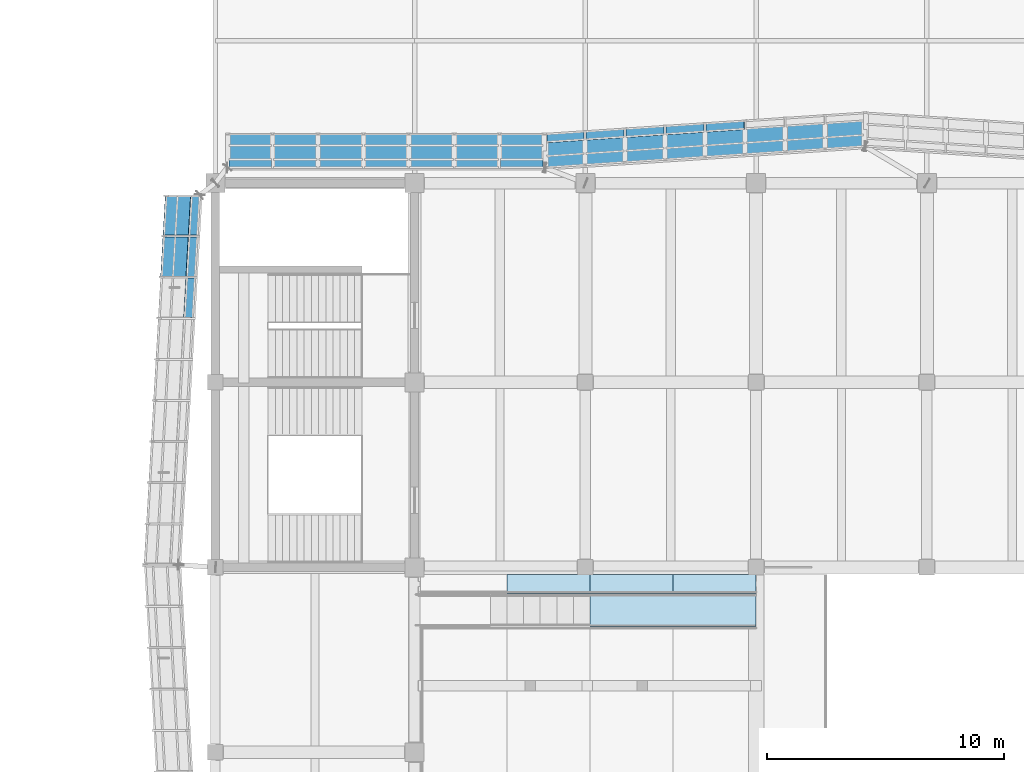
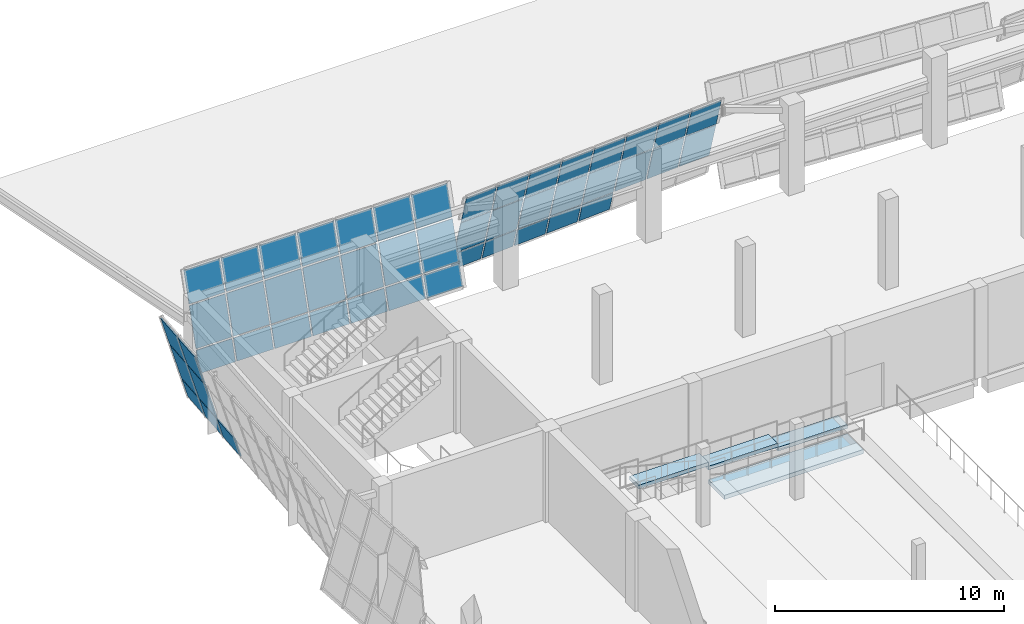
# One storey, part 54 of 79: 49 plates, 4 slabs, 3 elements without a shape of their own.
"""IFC4 building model written with IfcOpenShell, lengths in metres."""

from ifc_helpers import new_model, si_unit, direction, frame, origin, place, context, subcontext, project, spatial, polyline, outline, extrude, material, layer, layer_set, type_object, element, aggregate, save


model = new_model("IFC4")

# Units and contexts
model_context = context("Model", 3, precision=1e-05, world=origin(), true_north=direction((0.0, 1.0)))
body_context = subcontext(model_context, "Body", "Model", "MODEL_VIEW")
ifc_project = project(units=[si_unit("LENGTHUNIT", "METRE"), si_unit("AREAUNIT", "SQUARE_METRE"), si_unit("VOLUMEUNIT", "CUBIC_METRE"), si_unit("PLANEANGLEUNIT", "RADIAN"), si_unit("MASSUNIT", "GRAM", prefix="KILO")], contexts=[model_context])

# Site, building, storey
site_placement = place(None, origin())
site = spatial("IfcSite", under=ifc_project, at=site_placement, CompositionType="ELEMENT")
building_placement = place(site_placement, origin())
building = spatial("IfcBuilding", under=site, at=building_placement, Name="Pellamere Symphony Hall", CompositionType="ELEMENT")
storey_placement = place(building_placement, frame((0.0, 0.0, 10.199951171875)))
storey = spatial("IfcBuildingStorey", under=building, at=storey_placement, Name="L02", CompositionType="ELEMENT", Elevation=10.199951171875)

# Curtain wall, plates
ifc_material_1 = material(Name="Thermally Broken Anodised Aluminium 6063-T6 Curtain Wall", Category="aluminium")
curtain_wall_type = type_object("IfcCurtainWallType", Name="Curtain Wall CW-01 (Tilted Faceted Crystal Low-Iron Curtain Wall)", PredefinedType="NOTDEFINED", material=ifc_material_1)
curtain_wall_1_placement = place(storey_placement, origin())
curtain_wall_1 = element("IfcCurtainWall", 1, at=curtain_wall_1_placement, inside=storey, type_object=curtain_wall_type, Name="Crystal Faceted Curtain Wall CW-CR13 (L02)", PredefinedType="NOTDEFINED")
ifc_material_2 = material(Name="Triple Laminated Acoustic Crystal Glazing 42mm", Category="glass")
ifc_layer_1 = layer(ifc_material_2, 0.0419921875, Name="Triple Laminated Acoustic Crystal Glazing 42mm")
ifc_layer_set_1 = layer_set([ifc_layer_1], Name="Triple Laminated Acoustic Crystal Glazing 42mm")
plate_type_1 = type_object("IfcPlateType", Name="Facade Panel GL-02 42mm", PredefinedType="CURTAIN_PANEL", material=ifc_layer_set_1)
plate_1_placement = place(storey_placement, frame((77.72509765625, 96.21484375, 1.18798828125), z_axis=(-0.063845821816, 0.9568716431, 0.283408485527), x_axis=(-0.997781805053, -0.06656928019, -2.0969101e-05)))
plate_1 = element("IfcPlate", 2, at=plate_1_placement, type_object=plate_type_1, Name="CW1-031 crystal glass panel 1.2", PredefinedType="CURTAIN_PANEL", context=body_context, shape_type="SweptSolid", body=[
    extrude(outline(polyline([(0.0, 0.0), (1.5786896964563333, 0.0), (1.616988025317339, 2.0272441624683224), (0.038282076595334426, 2.0271751240969733), (0.0, 0.0)])), origin(), (0.0, 0.0, -1.0), 0.0419921875),
])
plate_2_placement = place(storey_placement, frame((77.72509765625, 95.61767578125, 3.2041015625), z_axis=(-0.063771333704, 0.956866616412, 0.283442225848), x_axis=(-0.997786526209, -0.066498482063, 0.0)))
plate_2 = element("IfcPlate", 3, at=plate_2_placement, type_object=plate_type_1, Name="CW1-031 crystal glass panel 1.3", PredefinedType="CURTAIN_PANEL", context=body_context, shape_type="SweptSolid", body=[
    extrude(outline(polyline([(0.0, 0.0), (1.578689700777497, 0.0), (1.608708180595431, 1.5890956852218163), (0.030018479817934176, 1.5890956852218163), (0.0, 0.0)])), origin(), (0.0, 0.0, -1.0), 0.0419921875),
])
plate_3_placement = place(storey_placement, frame((76.0751953125, 96.10498046875, 1.18798828125), z_axis=(-0.063806090228, 0.956874079565, 0.283409207165), x_axis=(-0.997783752331, -0.066540086906, 2.0480219e-05)))
plate_3 = element("IfcPlate", 4, at=plate_3_placement, type_object=plate_type_1, Name="CW1-031 crystal glass panel 2.2", PredefinedType="CURTAIN_PANEL", context=body_context, shape_type="SweptSolid", body=[
    extrude(outline(polyline([(0.0, 0.0), (1.6163827261284311, 1.0408340855860843e-17), (1.6547285779130667, 2.027173918734372), (0.0383620969230404, 2.02724295677036), (0.0, 0.0)])), origin(), (0.0, 0.0, -1.0), 0.0419921875),
])
plate_4_placement = place(storey_placement, frame((76.0751953125, 95.5078125, 3.2041015625), z_axis=(-0.063877581686, 0.956860101171, 0.283440295909), x_axis=(-0.997779138857, -0.066609234065, 0.0)))
plate_4 = element("IfcPlate", 5, at=plate_4_placement, type_object=plate_type_1, Name="CW1-031 crystal glass panel 2.3", PredefinedType="CURTAIN_PANEL", context=body_context, shape_type="SweptSolid", body=[
    extrude(outline(polyline([(0.0, 0.0), (1.6163827303488496, 0.0), (1.646451205394464, 1.589094740010678), (0.03006847504561443, 1.589094740010678), (0.0, 0.0)])), origin(), (0.0, 0.0, -1.0), 0.0419921875),
])
plate_5_placement = place(storey_placement, frame((74.3876953125, 95.992431640625, 1.18798828125), z_axis=(-0.06373287461, 0.956862203799, 0.283465771539), x_axis=(-0.997789166031, -0.066458860589, 0.0)))
plate_5 = element("IfcPlate", 6, at=plate_5_placement, type_object=plate_type_1, Name="CW1-031 crystal glass panel 3.2", PredefinedType="CURTAIN_PANEL", context=body_context, shape_type="SweptSolid", body=[
    extrude(outline(polyline([(0.0, 0.0), (1.616366486684859, 6.938893903907228e-18), (1.6546419876932679, 2.027244596964447), (0.03827550100840877, 2.027244596964447), (0.0, 0.0)])), origin(), (0.0, 0.0, -1.0), 0.0419921875),
])
plate_6_placement = place(storey_placement, frame((74.3876953125, 95.395263671875, 3.2041015625), z_axis=(-0.063804066819, 0.956843735319, 0.283512093636), x_axis=(-0.997784558013, -0.066528004406, -2.048721e-05)))
plate_6 = element("IfcPlate", 7, at=plate_6_placement, type_object=plate_type_1, Name="CW1-031 crystal glass panel 3.3", PredefinedType="CURTAIN_PANEL", context=body_context, shape_type="SweptSolid", body=[
    extrude(outline(polyline([(0.0, 0.0), (1.6163664824646657, -6.938893903907228e-18), (1.6463833103414376, 1.5891650826467514), (0.030000585688196302, 1.589096018853732), (0.0, 0.0)])), origin(), (0.0, 0.0, -1.0), 0.0419921875),
])
plate_7_placement = place(storey_placement, frame((72.7001953125, 96.21044921875, 0.072021484375), z_axis=(-0.063733038046, 0.956864657571, 0.283457451752), x_axis=(-0.997789166031, -0.066458860589, 0.0)))
plate_7 = element("IfcPlate", 8, at=plate_7_placement, type_object=plate_type_1, Name="CW1-031 crystal glass panel 4.1", PredefinedType="CURTAIN_PANEL", context=body_context, shape_type="SweptSolid", body=[
    extrude(outline(polyline([(0.0, 0.0), (1.616366486684859, 0.0), (1.6369239516181588, 1.0888487889784533), (0.020557464933299664, 1.0888487889784535), (0.0, 0.0)])), origin(), (0.0, 0.0, -1.0), 0.0419921875),
])
plate_8_placement = place(storey_placement, frame((72.7001953125, 95.8798828125, 1.18798828125), z_axis=(-0.06373287461, 0.956862203799, 0.283465771539), x_axis=(-0.997789166031, -0.066458860589, 0.0)))
plate_8 = element("IfcPlate", 9, at=plate_8_placement, type_object=plate_type_1, Name="CW1-031 crystal glass panel 4.2", PredefinedType="CURTAIN_PANEL", context=body_context, shape_type="SweptSolid", body=[
    extrude(outline(polyline([(0.0, 0.0), (1.616366486684859, 6.938893903907228e-18), (1.6546419876932679, 2.027244596964447), (0.03827550100840877, 2.027244596964447), (0.0, 0.0)])), origin(), (0.0, 0.0, -1.0), 0.0419921875),
])
plate_9_placement = place(storey_placement, frame((72.7001953125, 95.28271484375, 3.2041015625), z_axis=(-0.063733323587, 0.956868944589, 0.283442915499), x_axis=(-0.997789166031, -0.066458860589, 0.0)))
plate_9 = element("IfcPlate", 10, at=plate_9_placement, type_object=plate_type_1, Name="CW1-031 crystal glass panel 4.3", PredefinedType="CURTAIN_PANEL", context=body_context, shape_type="SweptSolid", body=[
    extrude(outline(polyline([(0.0, 0.0), (1.616366486684859, 3.469446951953614e-18), (1.6463670807351125, 1.5890960229884803), (0.030000594050253418, 1.5890960229884803), (0.0, 0.0)])), origin(), (0.0, 0.0, -1.0), 0.0419921875),
])
plate_10_placement = place(storey_placement, frame((71.0126953125, 96.097900390625, 0.072021484375), z_axis=(-0.063807190088, 0.956890573721, 0.283353264348), x_axis=(-0.997784557562, -0.066528011175, -2.0476735e-05)))
plate_10 = element("IfcPlate", 11, at=plate_10_placement, type_object=plate_type_1, Name="CW1-031 crystal glass panel 5.1", PredefinedType="CURTAIN_PANEL", context=body_context, shape_type="SweptSolid", body=[
    extrude(outline(polyline([(0.0, 0.0), (1.6163664824642527, -6.938893903907228e-18), (1.6369239558924438, 1.0888487825526945), (0.020541231237962806, 1.088779757450628), (0.0, 0.0)])), origin(), (0.0, 0.0, -1.0), 0.0419921875),
])
plate_11_placement = place(storey_placement, frame((71.0126953125, 95.767333984375, 1.18798828125), z_axis=(-0.063806090228, 0.956874079565, 0.283409207165), x_axis=(-0.997784557721, -0.066528008791, -2.0480425e-05)))
plate_11 = element("IfcPlate", 12, at=plate_11_placement, type_object=plate_type_1, Name="CW1-031 crystal glass panel 5.2", PredefinedType="CURTAIN_PANEL", context=body_context, shape_type="SweptSolid", body=[
    extrude(outline(polyline([(0.0, 0.0), (1.6163664824643982, -3.469446951953614e-18), (1.6546419920136686, 2.027244593438125), (0.03825926735962426, 2.0271755547083394), (0.0, 0.0)])), origin(), (0.0, 0.0, -1.0), 0.0419921875),
])
plate_12_placement = place(storey_placement, frame((71.0126953125, 95.170166015625, 3.2041015625), z_axis=(-0.063733323587, 0.956868944589, 0.283442915499), x_axis=(-0.997789166031, -0.066458860589, 0.0)))
plate_12 = element("IfcPlate", 13, at=plate_12_placement, type_object=plate_type_1, Name="CW1-031 crystal glass panel 5.3", PredefinedType="CURTAIN_PANEL", context=body_context, shape_type="SweptSolid", body=[
    extrude(outline(polyline([(0.0, 0.0), (1.616366486684859, 3.469446951953614e-18), (1.6463670807351125, 1.5890960229884803), (0.030000594050253418, 1.5890960229884803), (0.0, 0.0)])), origin(), (0.0, 0.0, -1.0), 0.0419921875),
])
plate_13_placement = place(storey_placement, frame((69.3251953125, 95.985595703125, 0.072021484375), z_axis=(-0.063877295503, 0.956855814272, 0.283454832051), x_axis=(-0.997779138857, -0.066609234065, 0.0)))
plate_13 = element("IfcPlate", 14, at=plate_13_placement, type_object=plate_type_1, Name="CW1-031 crystal glass panel 6.1", PredefinedType="CURTAIN_PANEL", context=body_context, shape_type="SweptSolid", body=[
    extrude(outline(polyline([(0.0, 0.0), (1.6163827303488496, 0.0), (1.6369867097338109, 1.0888479097917363), (0.02060397938496132, 1.0888479097917363), (0.0, 0.0)])), origin(), (0.0, 0.0, -1.0), 0.0419921875),
])
plate_14_placement = place(storey_placement, frame((69.3251953125, 95.655029296875, 1.18798828125), z_axis=(-0.0638771317, 0.956853360569, 0.283463151775), x_axis=(-0.997779138857, -0.066609234065, 0.0)))
plate_14 = element("IfcPlate", 15, at=plate_14_placement, type_object=plate_type_1, Name="CW1-031 crystal glass panel 6.2", PredefinedType="CURTAIN_PANEL", context=body_context, shape_type="SweptSolid", body=[
    extrude(outline(polyline([(0.0, 0.0), (1.6163827303488496, -3.469446951953614e-18), (1.654744835612562, 2.0272429599775954), (0.03836210526371252, 2.0272429599775954), (0.0, 0.0)])), origin(), (0.0, 0.0, -1.0), 0.0419921875),
])
plate_15_placement = place(storey_placement, frame((69.3251953125, 95.057861328125, 3.2041015625), z_axis=(-0.063804066819, 0.956843735319, 0.283512093636), x_axis=(-0.997783752038, -0.066540091291, 2.0487004e-05)))
plate_15 = element("IfcPlate", 16, at=plate_15_placement, type_object=plate_type_1, Name="CW1-031 crystal glass panel 6.3", PredefinedType="CURTAIN_PANEL", context=body_context, shape_type="SweptSolid", body=[
    extrude(outline(polyline([(0.0, 0.0), (1.6163827261286987, 6.938893903907228e-18), (1.646451209693119, 1.589094735556868), (0.030084728703895725, 1.5891637986558382), (0.0, 0.0)])), origin(), (0.0, 0.0, -1.0), 0.0419921875),
])
plate_16_placement = place(storey_placement, frame((67.6376953125, 95.873046875, 0.072021484375), z_axis=(-0.063807190088, 0.956890573721, 0.283353264348), x_axis=(-0.99778375249, -0.066540084522, 2.047653e-05)))
plate_16 = element("IfcPlate", 17, at=plate_16_placement, type_object=plate_type_1, Name="CW1-031 crystal glass panel 7.1", PredefinedType="CURTAIN_PANEL", context=body_context, shape_type="SweptSolid", body=[
    extrude(outline(polyline([(0.0, 0.0), (1.6163827261282855, -6.938893903907228e-18), (1.6369704519880959, 1.0887788792766606), (0.02060397099763312, 1.088847903685067), (0.0, 0.0)])), origin(), (0.0, 0.0, -1.0), 0.0419921875),
])
plate_17_placement = place(storey_placement, frame((67.6376953125, 95.54248046875, 1.18798828125), z_axis=(-0.063806090228, 0.956874079565, 0.283409207165), x_axis=(-0.997783752331, -0.066540086906, 2.0480219e-05)))
plate_17 = element("IfcPlate", 18, at=plate_17_placement, type_object=plate_type_1, Name="CW1-031 crystal glass panel 7.2", PredefinedType="CURTAIN_PANEL", context=body_context, shape_type="SweptSolid", body=[
    extrude(outline(polyline([(0.0, 0.0), (1.6163827261284311, 1.0408340855860843e-17), (1.6547285779130667, 2.027173918734372), (0.0383620969230404, 2.02724295677036), (0.0, 0.0)])), origin(), (0.0, 0.0, -1.0), 0.0419921875),
])
plate_18_placement = place(storey_placement, frame((67.6376953125, 94.9453125, 3.2041015625), z_axis=(-0.063877581686, 0.956860101171, 0.283440295909), x_axis=(-0.997779138857, -0.066609234065, 0.0)))
plate_18 = element("IfcPlate", 19, at=plate_18_placement, type_object=plate_type_1, Name="CW1-031 crystal glass panel 7.3", PredefinedType="CURTAIN_PANEL", context=body_context, shape_type="SweptSolid", body=[
    extrude(outline(polyline([(0.0, 0.0), (1.6163827303488496, 0.0), (1.646451205394464, 1.589094740010678), (0.03006847504561443, 1.589094740010678), (0.0, 0.0)])), origin(), (0.0, 0.0, -1.0), 0.0419921875),
])
plate_19_placement = place(storey_placement, frame((65.9501953125, 95.760498046875, 0.072021484375), z_axis=(-0.063761205785, 0.956862932404, 0.283456940696), x_axis=(-0.99778720991, -0.066488222573, 0.0)))
plate_19 = element("IfcPlate", 20, at=plate_19_placement, type_object=plate_type_1, Name="CW1-031 crystal glass panel 8.1", PredefinedType="CURTAIN_PANEL", context=body_context, shape_type="SweptSolid", body=[
    extrude(outline(polyline([(0.0, 0.0), (1.578933301087088, 0.0), (1.5994998484502496, 1.0888486174642862), (0.020566547363161526, 1.0888486174642862), (0.0, 0.0)])), origin(), (0.0, 0.0, -1.0), 0.0419921875),
])
plate_20_placement = place(storey_placement, frame((65.9501953125, 95.429931640625, 1.18798828125), z_axis=(-0.063761042278, 0.956860478646, 0.28346526047), x_axis=(-0.99778720991, -0.066488222573, 0.0)))
plate_20 = element("IfcPlate", 21, at=plate_20_placement, type_object=plate_type_1, Name="CW1-031 crystal glass panel 8.2", PredefinedType="CURTAIN_PANEL", context=body_context, shape_type="SweptSolid", body=[
    extrude(outline(polyline([(0.0, 0.0), (1.578933301087088, -3.469446951953614e-18), (1.617225712475958, 2.0272442776165414), (0.038292411388869796, 2.0272442776165414), (0.0, 0.0)])), origin(), (0.0, 0.0, -1.0), 0.0419921875),
])
plate_21_placement = place(storey_placement, frame((65.9501953125, 94.832763671875, 3.2041015625), z_axis=(-0.063761491452, 0.956867219398, 0.283442404465), x_axis=(-0.99778720991, -0.066488222573, 0.0)))
plate_21 = element("IfcPlate", 22, at=plate_21_placement, type_object=plate_type_1, Name="CW1-031 crystal glass panel 8.3", PredefinedType="CURTAIN_PANEL", context=body_context, shape_type="SweptSolid", body=[
    extrude(outline(polyline([(0.0, 0.0), (1.578933301087088, 0.0), (1.6089471496068084, 1.5890957727016355), (0.03001384851972033, 1.5890957727016355), (0.0, 0.0)])), origin(), (0.0, 0.0, -1.0), 0.0419921875),
])
aggregate(curtain_wall_1, [plate_1, plate_2, plate_3, plate_4, plate_5, plate_6, plate_7, plate_8, plate_9, plate_10, plate_11, plate_12, plate_13, plate_14, plate_15, plate_16, plate_17, plate_18, plate_19, plate_20, plate_21])

curtain_wall_2_placement = place(storey_placement, origin())
curtain_wall_2 = element("IfcCurtainWall", 23, at=curtain_wall_2_placement, inside=storey, type_object=curtain_wall_type, Name="Crystal Faceted Curtain Wall CW-CR14 (L02)", PredefinedType="NOTDEFINED")
plate_22_placement = place(storey_placement, frame((64.22509765625, 94.271240234375, 0.072021484375), z_axis=(0.0, -0.958813942277, 0.284034899431), x_axis=(-1.0, 0.0, 0.0)))
plate_22 = element("IfcPlate", 24, at=plate_22_placement, type_object=plate_type_1, Name="CW1-034 crystal glass panel 1.1", PredefinedType="CURTAIN_PANEL", context=body_context, shape_type="SweptSolid", body=[
    extrude(outline(polyline([(0.0, 0.0), (1.802001953125, 0.0), (1.802001953125, -1.089042834154988), (0.0, -1.089042834154988), (0.0, 0.0)])), origin(), (0.0, 0.0, -1.0), 0.0419921875),
])
plate_23_placement = place(storey_placement, frame((64.22509765625, 94.601806640625, 1.18798828125), z_axis=(0.0, -0.958811473479, 0.284043233196), x_axis=(-1.0, 0.0, 0.0)))
plate_23 = element("IfcPlate", 25, at=plate_23_placement, type_object=plate_type_1, Name="CW1-034 crystal glass panel 1.2", PredefinedType="CURTAIN_PANEL", context=body_context, shape_type="SweptSolid", body=[
    extrude(outline(polyline([(0.0, 0.0), (1.802001953125, 0.0), (1.802001953125, -2.0276058960998777), (0.0, -2.0276058960998777), (0.0, 0.0)])), origin(), (0.0, 0.0, -1.0), 0.0419921875),
])
plate_24_placement = place(storey_placement, frame((64.22509765625, 95.198974609375, 3.2041015625), z_axis=(0.0, -0.958818255549, 0.284020338755), x_axis=(-1.0, 0.0, 0.0)))
plate_24 = element("IfcPlate", 26, at=plate_24_placement, type_object=plate_type_1, Name="CW1-034 crystal glass panel 1.3", PredefinedType="CURTAIN_PANEL", context=body_context, shape_type="SweptSolid", body=[
    extrude(outline(polyline([(0.0, 0.0), (1.802001953125, 0.0), (1.802001953125, -1.589379188841094), (0.0, -1.589379188841094), (0.0, 0.0)])), origin(), (0.0, 0.0, -1.0), 0.0419921875),
])
plate_25_placement = place(storey_placement, frame((62.34814453125, 94.271240234375, 0.072021484375), z_axis=(0.0, -0.958813942277, 0.284034899431), x_axis=(-1.0, 0.0, 0.0)))
plate_25 = element("IfcPlate", 27, at=plate_25_placement, type_object=plate_type_1, Name="CW1-034 crystal glass panel 2.1", PredefinedType="CURTAIN_PANEL", context=body_context, shape_type="SweptSolid", body=[
    extrude(outline(polyline([(0.0, 0.0), (1.839111328125, 0.0), (1.839111328125, -1.089042834154988), (0.0, -1.089042834154988), (0.0, 0.0)])), origin(), (0.0, 0.0, -1.0), 0.0419921875),
])
plate_26_placement = place(storey_placement, frame((62.34814453125, 94.601806640625, 1.18798828125), z_axis=(0.0, -0.958811473479, 0.284043233196), x_axis=(-1.0, 0.0, 0.0)))
plate_26 = element("IfcPlate", 28, at=plate_26_placement, type_object=plate_type_1, Name="CW1-034 crystal glass panel 2.2", PredefinedType="CURTAIN_PANEL", context=body_context, shape_type="SweptSolid", body=[
    extrude(outline(polyline([(0.0, 0.0), (1.839111328125, 0.0), (1.839111328125, -2.0276058960998773), (0.0, -2.0276058960998773), (0.0, 0.0)])), origin(), (0.0, 0.0, -1.0), 0.0419921875),
])
plate_27_placement = place(storey_placement, frame((62.34814453125, 95.198974609375, 3.2041015625), z_axis=(0.0, -0.958818255549, 0.284020338755), x_axis=(-1.0, 0.0, 0.0)))
plate_27 = element("IfcPlate", 29, at=plate_27_placement, type_object=plate_type_1, Name="CW1-034 crystal glass panel 2.3", PredefinedType="CURTAIN_PANEL", context=body_context, shape_type="SweptSolid", body=[
    extrude(outline(polyline([(0.0, 0.0), (1.839111328125, 0.0), (1.839111328125, -1.5893791888410937), (0.0, -1.5893791888410937), (0.0, 0.0)])), origin(), (0.0, 0.0, -1.0), 0.0419921875),
])
plate_28_placement = place(storey_placement, frame((60.433837890625, 94.271240234375, 0.072021484375), z_axis=(0.0, -0.958813942277, 0.284034899431), x_axis=(-1.0, 0.0, 0.0)))
plate_28 = element("IfcPlate", 30, at=plate_28_placement, type_object=plate_type_1, Name="CW1-034 crystal glass panel 3.1", PredefinedType="CURTAIN_PANEL", context=body_context, shape_type="SweptSolid", body=[
    extrude(outline(polyline([(0.0, 0.0), (1.839111328125, 0.0), (1.839111328125, -1.089042834154988), (0.0, -1.089042834154988), (0.0, 0.0)])), origin(), (0.0, 0.0, -1.0), 0.0419921875),
])
plate_29_placement = place(storey_placement, frame((60.433837890625, 94.601806640625, 1.18798828125), z_axis=(0.0, -0.958811473479, 0.284043233196), x_axis=(-1.0, 0.0, 0.0)))
plate_29 = element("IfcPlate", 31, at=plate_29_placement, type_object=plate_type_1, Name="CW1-034 crystal glass panel 3.2", PredefinedType="CURTAIN_PANEL", context=body_context, shape_type="SweptSolid", body=[
    extrude(outline(polyline([(0.0, 0.0), (1.839111328125, 0.0), (1.839111328125, -2.0276058960998773), (0.0, -2.0276058960998773), (0.0, 0.0)])), origin(), (0.0, 0.0, -1.0), 0.0419921875),
])
plate_30_placement = place(storey_placement, frame((60.433837890625, 95.198974609375, 3.2041015625), z_axis=(0.0, -0.958818255549, 0.284020338755), x_axis=(-1.0, 0.0, 0.0)))
plate_30 = element("IfcPlate", 32, at=plate_30_placement, type_object=plate_type_1, Name="CW1-034 crystal glass panel 3.3", PredefinedType="CURTAIN_PANEL", context=body_context, shape_type="SweptSolid", body=[
    extrude(outline(polyline([(0.0, 0.0), (1.839111328125, 0.0), (1.839111328125, -1.5893791888410937), (0.0, -1.5893791888410937), (0.0, 0.0)])), origin(), (0.0, 0.0, -1.0), 0.0419921875),
])
plate_31_placement = place(storey_placement, frame((58.51953125, 94.271240234375, 0.072021484375), z_axis=(0.0, -0.958813942277, 0.284034899431), x_axis=(-1.0, 0.0, 0.0)))
plate_31 = element("IfcPlate", 33, at=plate_31_placement, type_object=plate_type_1, Name="CW1-034 crystal glass panel 4.1", PredefinedType="CURTAIN_PANEL", context=body_context, shape_type="SweptSolid", body=[
    extrude(outline(polyline([(0.0, 0.0), (1.839111328125, 0.0), (1.839111328125, -1.089042834154988), (0.0, -1.089042834154988), (0.0, 0.0)])), origin(), (0.0, 0.0, -1.0), 0.0419921875),
])
plate_32_placement = place(storey_placement, frame((58.51953125, 94.601806640625, 1.18798828125), z_axis=(0.0, -0.958811473479, 0.284043233196), x_axis=(-1.0, 0.0, 0.0)))
plate_32 = element("IfcPlate", 34, at=plate_32_placement, type_object=plate_type_1, Name="CW1-034 crystal glass panel 4.2", PredefinedType="CURTAIN_PANEL", context=body_context, shape_type="SweptSolid", body=[
    extrude(outline(polyline([(0.0, 0.0), (1.839111328125, 0.0), (1.839111328125, -2.0276058960998773), (0.0, -2.0276058960998773), (0.0, 0.0)])), origin(), (0.0, 0.0, -1.0), 0.0419921875),
])
plate_33_placement = place(storey_placement, frame((58.51953125, 95.198974609375, 3.2041015625), z_axis=(0.0, -0.958818255549, 0.284020338755), x_axis=(-1.0, 0.0, 0.0)))
plate_33 = element("IfcPlate", 35, at=plate_33_placement, type_object=plate_type_1, Name="CW1-034 crystal glass panel 4.3", PredefinedType="CURTAIN_PANEL", context=body_context, shape_type="SweptSolid", body=[
    extrude(outline(polyline([(0.0, 0.0), (1.839111328125, 0.0), (1.839111328125, -1.5893791888410937), (0.0, -1.5893791888410937), (0.0, 0.0)])), origin(), (0.0, 0.0, -1.0), 0.0419921875),
])
plate_34_placement = place(storey_placement, frame((56.60546875, 94.271240234375, 0.072021484375), z_axis=(0.0, -0.958813942277, 0.284034899431), x_axis=(-1.0, 0.0, 0.0)))
plate_34 = element("IfcPlate", 36, at=plate_34_placement, type_object=plate_type_1, Name="CW1-034 crystal glass panel 5.1", PredefinedType="CURTAIN_PANEL", context=body_context, shape_type="SweptSolid", body=[
    extrude(outline(polyline([(0.0, 0.0), (1.83935546875, 0.0), (1.83935546875, -1.089042834154988), (0.0, -1.089042834154988), (0.0, 0.0)])), origin(), (0.0, 0.0, -1.0), 0.0419921875),
])
plate_35_placement = place(storey_placement, frame((56.60546875, 94.601806640625, 1.18798828125), z_axis=(0.0, -0.958811473479, 0.284043233196), x_axis=(-1.0, 0.0, 0.0)))
plate_35 = element("IfcPlate", 37, at=plate_35_placement, type_object=plate_type_1, Name="CW1-034 crystal glass panel 5.2", PredefinedType="CURTAIN_PANEL", context=body_context, shape_type="SweptSolid", body=[
    extrude(outline(polyline([(0.0, 0.0), (1.83935546875, 0.0), (1.83935546875, -2.0276058960998777), (0.0, -2.0276058960998777), (0.0, 0.0)])), origin(), (0.0, 0.0, -1.0), 0.0419921875),
])
plate_36_placement = place(storey_placement, frame((56.60546875, 95.198974609375, 3.2041015625), z_axis=(0.0, -0.958818255549, 0.284020338755), x_axis=(-1.0, 0.0, 0.0)))
plate_36 = element("IfcPlate", 38, at=plate_36_placement, type_object=plate_type_1, Name="CW1-034 crystal glass panel 5.3", PredefinedType="CURTAIN_PANEL", context=body_context, shape_type="SweptSolid", body=[
    extrude(outline(polyline([(0.0, 0.0), (1.83935546875, 0.0), (1.83935546875, -1.5893791888410937), (0.0, -1.5893791888410937), (0.0, 0.0)])), origin(), (0.0, 0.0, -1.0), 0.0419921875),
])
plate_37_placement = place(storey_placement, frame((54.691162109375, 94.271240234375, 0.072021484375), z_axis=(0.0, -0.958813942277, 0.284034899431), x_axis=(-1.0, 0.0, 0.0)))
plate_37 = element("IfcPlate", 39, at=plate_37_placement, type_object=plate_type_1, Name="CW1-034 crystal glass panel 6.1", PredefinedType="CURTAIN_PANEL", context=body_context, shape_type="SweptSolid", body=[
    extrude(outline(polyline([(0.0, 0.0), (1.83935546875, 0.0), (1.83935546875, -1.089042834154988), (0.0, -1.089042834154988), (0.0, 0.0)])), origin(), (0.0, 0.0, -1.0), 0.0419921875),
])
plate_38_placement = place(storey_placement, frame((54.691162109375, 94.601806640625, 1.18798828125), z_axis=(0.0, -0.958811473479, 0.284043233196), x_axis=(-1.0, 0.0, 0.0)))
plate_38 = element("IfcPlate", 40, at=plate_38_placement, type_object=plate_type_1, Name="CW1-034 crystal glass panel 6.2", PredefinedType="CURTAIN_PANEL", context=body_context, shape_type="SweptSolid", body=[
    extrude(outline(polyline([(0.0, 0.0), (1.83935546875, 0.0), (1.83935546875, -2.0276058960998777), (0.0, -2.0276058960998777), (0.0, 0.0)])), origin(), (0.0, 0.0, -1.0), 0.0419921875),
])
plate_39_placement = place(storey_placement, frame((54.691162109375, 95.198974609375, 3.2041015625), z_axis=(0.0, -0.958818255549, 0.284020338755), x_axis=(-1.0, 0.0, 0.0)))
plate_39 = element("IfcPlate", 41, at=plate_39_placement, type_object=plate_type_1, Name="CW1-034 crystal glass panel 6.3", PredefinedType="CURTAIN_PANEL", context=body_context, shape_type="SweptSolid", body=[
    extrude(outline(polyline([(0.0, 0.0), (1.83935546875, 0.0), (1.83935546875, -1.5893791888410937), (0.0, -1.5893791888410937), (0.0, 0.0)])), origin(), (0.0, 0.0, -1.0), 0.0419921875),
])
plate_40_placement = place(storey_placement, frame((52.77685546875, 94.271240234375, 0.072021484375), z_axis=(0.0, -0.958813942277, 0.284034899431), x_axis=(-1.0, 0.0, 0.0)))
plate_40 = element("IfcPlate", 42, at=plate_40_placement, type_object=plate_type_1, Name="CW1-034 crystal glass panel 7.1", PredefinedType="CURTAIN_PANEL", context=body_context, shape_type="SweptSolid", body=[
    extrude(outline(polyline([(0.0, 0.0), (1.8017578125, 0.0), (1.8017578125, -1.089042834154988), (0.0, -1.089042834154988), (0.0, 0.0)])), origin(), (0.0, 0.0, -1.0), 0.0419921875),
])
plate_41_placement = place(storey_placement, frame((52.77685546875, 94.601806640625, 1.18798828125), z_axis=(0.0, -0.958811473479, 0.284043233196), x_axis=(-1.0, 0.0, 0.0)))
plate_41 = element("IfcPlate", 43, at=plate_41_placement, type_object=plate_type_1, Name="CW1-034 crystal glass panel 7.2", PredefinedType="CURTAIN_PANEL", context=body_context, shape_type="SweptSolid", body=[
    extrude(outline(polyline([(0.0, 0.0), (1.8017578125, 0.0), (1.8017578125, -2.0276058960998777), (0.0, -2.0276058960998777), (0.0, 0.0)])), origin(), (0.0, 0.0, -1.0), 0.0419921875),
])
plate_42_placement = place(storey_placement, frame((52.77685546875, 95.198974609375, 3.2041015625), z_axis=(0.0, -0.958818255549, 0.284020338755), x_axis=(-1.0, 0.0, 0.0)))
plate_42 = element("IfcPlate", 44, at=plate_42_placement, type_object=plate_type_1, Name="CW1-034 crystal glass panel 7.3", PredefinedType="CURTAIN_PANEL", context=body_context, shape_type="SweptSolid", body=[
    extrude(outline(polyline([(0.0, 0.0), (1.8017578125, 0.0), (1.8017578125, -1.589379188841094), (0.0, -1.589379188841094), (0.0, 0.0)])), origin(), (0.0, 0.0, -1.0), 0.0419921875),
])
aggregate(curtain_wall_2, [plate_22, plate_23, plate_24, plate_25, plate_26, plate_27, plate_28, plate_29, plate_30, plate_31, plate_32, plate_33, plate_34, plate_35, plate_36, plate_37, plate_38, plate_39, plate_40, plate_41, plate_42])

curtain_wall_3_placement = place(storey_placement, origin())
curtain_wall_3 = element("IfcCurtainWall", 45, at=curtain_wall_3_placement, inside=storey, type_object=curtain_wall_type, Name="Crystal Faceted Curtain Wall CW-CR15 (L02)", PredefinedType="NOTDEFINED")
ifc_material_3 = material(Name="Vacuum-Insulated Bronze-Anodised Aluminium Spandrel Panel", Category="aluminium")
ifc_layer_2 = layer(ifc_material_3, 0.06494140625, Name="Vacuum-Insulated Bronze-Anodised Aluminium Spandrel Panel")
ifc_layer_set_2 = layer_set([ifc_layer_2], Name="Vacuum-Insulated Bronze-Anodised Aluminium Spandrel Panel")
plate_type_2 = type_object("IfcPlateType", Name="Facade Panel SP-01 65mm", PredefinedType="CURTAIN_PANEL", material=ifc_layer_set_2)
plate_43_placement = place(storey_placement, frame((49.724365234375, 93.025146484375, 0.072021484375), z_axis=(0.957350958392, -0.055220695341, 0.283601511406), x_axis=(-0.057585007883, -0.99834060664, 0.0)))
plate_43 = element("IfcPlate", 46, at=plate_43_placement, type_object=plate_type_2, Name="CW1-039 crystal glass panel 1.1", PredefinedType="CURTAIN_PANEL", context=body_context, shape_type="SweptSolid", body=[
    extrude(outline(polyline([(0.0, 0.0), (1.6237882534451713, 6.938893903907228e-18), (1.6416008034910186, -1.0888971520236395), (0.017812550045847142, -1.0888971520236395), (0.0, 0.0)])), origin(), (0.0, 0.0, -1.0), 0.06494140625),
])
plate_44_placement = place(storey_placement, frame((49.393798828125, 93.025146484375, 1.18798828125), z_axis=(0.957348500878, -0.05522055359, 0.283609834682), x_axis=(-0.057585007883, -0.99834060664, 0.0)))
plate_44 = element("IfcPlate", 47, at=plate_44_placement, type_object=plate_type_2, Name="CW1-039 crystal glass panel 1.2", PredefinedType="CURTAIN_PANEL", context=body_context, shape_type="SweptSolid", body=[
    extrude(outline(polyline([(0.0, 0.0), (1.6237882534451713, 0.0), (1.6569530565692072, -2.0273346457190367), (0.03316480312403584, -2.0273346457190367), (0.0, 0.0)])), origin(), (0.0, 0.0, -1.0), 0.06494140625),
])
plate_45_placement = place(storey_placement, frame((48.796630859375, 93.025146484375, 3.2041015625), z_axis=(0.95735525195, -0.055220942996, 0.283586969057), x_axis=(-0.057585007883, -0.99834060664, 0.0)))
plate_45 = element("IfcPlate", 48, at=plate_45_placement, type_object=plate_type_2, Name="CW1-039 crystal glass panel 1.3", PredefinedType="CURTAIN_PANEL", context=body_context, shape_type="SweptSolid", body=[
    extrude(outline(polyline([(0.0, 0.0), (1.6237882534451713, 0.0), (1.6497830482634597, -1.5891665981147254), (0.02599479481828837, -1.5891665981147254), (0.0, 0.0)])), origin(), (0.0, 0.0, -1.0), 0.06494140625),
])
plate_46_placement = place(storey_placement, frame((49.62646484375, 91.329345703125, 0.072021484375), z_axis=(0.957384191148, -0.055168665121, 0.283499433736), x_axis=(-0.057534824757, -0.998343499775, 1.9941656e-05)))
plate_46 = element("IfcPlate", 49, at=plate_46_placement, type_object=plate_type_2, Name="CW1-039 crystal glass panel 2.1", PredefinedType="CURTAIN_PANEL", context=body_context, shape_type="SweptSolid", body=[
    extrude(outline(polyline([(0.0, 0.0), (1.6614500460875117, 3.469446951953614e-18), (1.6792538494578284, -1.0888279602336133), (0.017817849958392376, -1.0888970590414027), (0.0, 0.0)])), origin(), (0.0, 0.0, -1.0), 0.06494140625),
])
plate_47_placement = place(storey_placement, frame((49.2958984375, 91.329345703125, 1.18798828125), z_axis=(0.957380265181, -0.055238896666, 0.283499016112), x_axis=(-0.057602168051, -0.998339616682, 0.0)))
plate_47 = element("IfcPlate", 50, at=plate_47_placement, type_object=plate_type_2, Name="CW1-039 crystal glass panel 2.2", PredefinedType="CURTAIN_PANEL", context=body_context, shape_type="SweptSolid", body=[
    extrude(outline(polyline([(0.0, 0.0), (1.6614500501978287, -3.469446951953614e-18), (1.694610673309276, -2.0272653718407074), (0.03316062311144734, -2.0272653718407074), (0.0, 0.0)])), origin(), (0.0, 0.0, -1.0), 0.06494140625),
])
plate_48_placement = place(storey_placement, frame((48.69873046875, 91.329345703125, 3.2041015625), z_axis=(0.957354378978, -0.055237403085, 0.283586710466), x_axis=(-0.057602168051, -0.998339616682, 0.0)))
plate_48 = element("IfcPlate", 51, at=plate_48_placement, type_object=plate_type_2, Name="CW1-039 crystal glass panel 2.3", PredefinedType="CURTAIN_PANEL", context=body_context, shape_type="SweptSolid", body=[
    extrude(outline(polyline([(0.0, 0.0), (1.6614500501978287, 3.469446951953614e-18), (1.687452591390817, -1.5891664713845053), (0.02600254119298818, -1.5891664713845053), (0.0, 0.0)])), origin(), (0.0, 0.0, -1.0), 0.06494140625),
])
plate_49_placement = place(storey_placement, frame((49.526611328125, 89.595947265625, 0.072021484375), z_axis=(0.957349655397, -0.055245262022, 0.283601125412), x_axis=(-0.057610619545, -0.998339129012, 0.0)))
plate_49 = element("IfcPlate", 52, at=plate_49_placement, type_object=plate_type_2, Name="CW1-039 crystal glass panel 3.1", PredefinedType="CURTAIN_PANEL", context=body_context, shape_type="SweptSolid", body=[
    extrude(outline(polyline([(0.0, 0.0), (1.6612063149993754, -3.469446951953614e-18), (1.67902678740273, -1.0888970223981924), (0.017820472403354506, -1.0888970223981924), (0.0, 0.0)])), origin(), (0.0, 0.0, -1.0), 0.06494140625),
])
aggregate(curtain_wall_3, [plate_43, plate_44, plate_45, plate_46, plate_47, plate_48, plate_49])

# Slabs
ifc_material_4 = material(Name="Concrete 40 MPa", Category="concrete")
ifc_layer_3 = layer(ifc_material_4, 0.219970703125, Name="Concrete 40 MPa")
ifc_layer_set_3 = layer_set([ifc_layer_3], Name="Concrete 40 MPa")
slab_type_1 = type_object("IfcSlabType", Name="Stair Landing SL-01 220mm", PredefinedType="LANDING", material=ifc_layer_set_3)
slab_1_placement = place(storey_placement, frame((0.0, 0.0, -0.219970703125)))
element("IfcSlab", 53, at=slab_1_placement, inside=storey, type_object=slab_type_1, Name="Vomitory VOM-04 Lower Landing", PredefinedType="LANDING", context=body_context, shape_type="SweptSolid", body=[
    extrude(outline(polyline([(66.199951171875, 74.89990234375), (73.199951171875, 74.89990234375), (73.199951171875, 76.300048828125), (66.199951171875, 76.300048828125), (66.199951171875, 74.89990234375)])), origin(), (0.0, 0.0, 1.0), 0.219970703125),
])
ifc_material_5 = material(Name="Precast concrete 40 MPa", Category="concrete")
ifc_layer_4 = layer(ifc_material_5, 0.199951171875, Name="Precast concrete 40 MPa")
ifc_layer_set_4 = layer_set([ifc_layer_4], Name="Precast concrete 40 MPa")
slab_type_2 = type_object("IfcSlabType", Name="Structural Slab ST-T2 200mm", PredefinedType="USERDEFINED", material=ifc_layer_set_4)
slab_2_placement = place(storey_placement, frame((0.0, 0.0, 0.280029296875)))
element("IfcSlab", 54, at=slab_2_placement, inside=storey, type_object=slab_type_2, Name="Stand Upper Circle Bay 1", ObjectType="SEATING TIER", PredefinedType="USERDEFINED", context=body_context, shape_type="SweptSolid", body=[
    extrude(outline(polyline([(69.699951171875, 77.10009765625), (73.199951171875, 77.10009765625), (73.199951171875, 76.300048828125), (69.699951171875, 76.300048828125), (69.699951171875, 77.10009765625)])), origin(), (0.0, 0.0, 1.0), 0.199951171875),
])
slab_3_placement = place(storey_placement, frame((0.0, 0.0, 0.5)))
element("IfcSlab", 55, at=slab_3_placement, inside=storey, type_object=slab_type_2, Name="Stand Upper Circle Bay 2", ObjectType="SEATING TIER", PredefinedType="USERDEFINED", context=body_context, shape_type="SweptSolid", body=[
    extrude(outline(polyline([(66.199951171875, 77.10009765625), (69.699951171875, 77.10009765625), (69.699951171875, 76.300048828125), (66.199951171875, 76.300048828125), (66.199951171875, 77.10009765625)])), origin(), (0.0, 0.0, 1.0), 0.199951171875),
])
slab_4_placement = place(storey_placement, frame((0.0, 0.0, 0.719970703125)))
element("IfcSlab", 56, at=slab_4_placement, inside=storey, type_object=slab_type_2, Name="Stand Upper Circle Bay 3", ObjectType="SEATING TIER", PredefinedType="USERDEFINED", context=body_context, shape_type="SweptSolid", body=[
    extrude(outline(polyline([(62.699951171875, 77.10009765625), (66.199951171875, 77.10009765625), (66.199951171875, 76.300048828125), (62.699951171875, 76.300048828125), (62.699951171875, 77.10009765625)])), origin(), (0.0, 0.0, 1.0), 0.2001953125),
])

save(model, "model.ifc")
